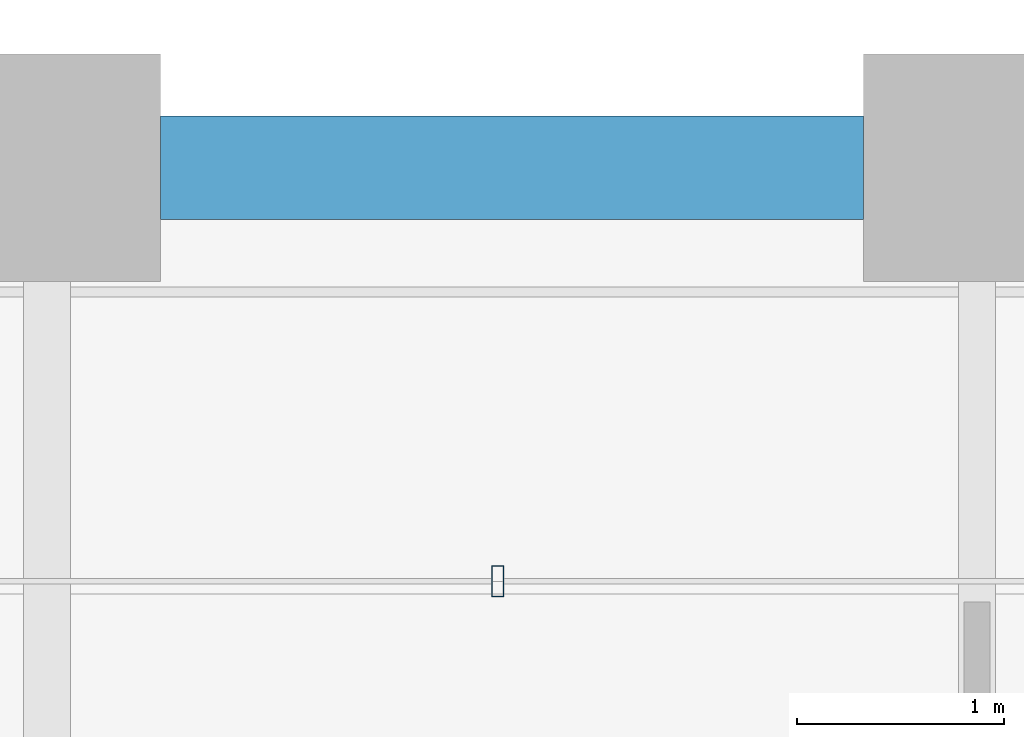
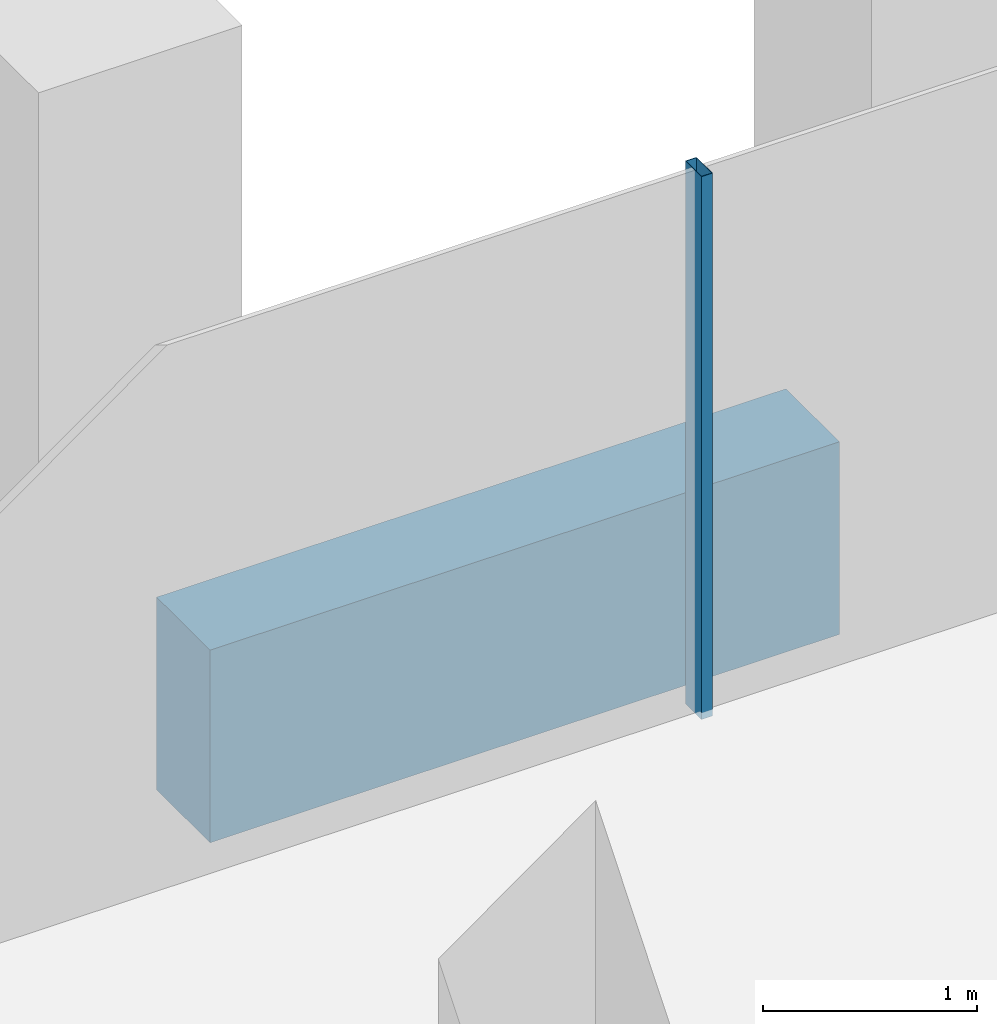
# One storey, part 42 of 54: 1 beam, 1 member, 1 element without a shape of its own.
"""IFC4 building model written with IfcOpenShell, lengths in metres."""

from ifc_helpers import new_model, si_unit, direction, frame, origin, origin_2d, place, context, subcontext, project, spatial, rectangle, hollow_rectangle, extrude, material, material_profile, profile_set, type_object, element, aggregate, save


model = new_model("IFC4")

# Units and contexts
model_context = context("Model", 3, precision=1e-05, world=origin(), true_north=direction((0.0, 1.0)))
body_context = subcontext(model_context, "Body", "Model", "MODEL_VIEW")
ifc_project = project(units=[si_unit("LENGTHUNIT", "METRE"), si_unit("AREAUNIT", "SQUARE_METRE"), si_unit("VOLUMEUNIT", "CUBIC_METRE"), si_unit("PLANEANGLEUNIT", "RADIAN"), si_unit("MASSUNIT", "GRAM", prefix="KILO")], contexts=[model_context])

# Site, building, storey
site_placement = place(None, origin())
site = spatial("IfcSite", under=ifc_project, at=site_placement, CompositionType="ELEMENT")
building_placement = place(site_placement, origin())
building = spatial("IfcBuilding", under=site, at=building_placement, Name="Altepetl Exchange Towers", CompositionType="ELEMENT")
storey_placement = place(building_placement, frame((0.0, 0.0, 65.39990234375)))
storey = spatial("IfcBuildingStorey", under=building, at=storey_placement, Name="L15", CompositionType="ELEMENT", Elevation=65.39990234375)

# Curtain wall, member
ifc_material_1 = material(Name="Aluminium 6063-T6 glazing", Category="aluminium")
curtain_wall_type = type_object("IfcCurtainWallType", Name="Loggia glazing system", PredefinedType="NOTDEFINED", material=ifc_material_1)
curtain_wall_placement = place(storey_placement, origin())
curtain_wall = element("IfcCurtainWall", 1, at=curtain_wall_placement, inside=storey, type_object=curtain_wall_type, Name="CW1 run", PredefinedType="NOTDEFINED")
ifc_material_2 = material(Name="Aluminium 6063-T6", Category="aluminium")
ifc_material_profile_1 = material_profile(ifc_material_2, hollow_rectangle(XDim=0.06005859375, YDim=0.14990234375, WallThickness=0.0029296875, at=origin_2d()), Name="Mullion 60x150 aluminium")
ifc_profile_set_1 = profile_set([ifc_material_profile_1], Name="Aluminium 6063-T6")
member_type = type_object("IfcMemberType", Name="Mullion 60x150 aluminium", PredefinedType="MULLION", material=ifc_profile_set_1)
member_placement = place(storey_placement, frame((105.68115234375, 56.5, 0.0), z_axis=(0.0, 0.0, 1.0), x_axis=(-1.0, 0.0, 0.0)))
member = element("IfcMember", 2, at=member_placement, type_object=member_type, Name="MU1 mullion", PredefinedType="MULLION", context=body_context, shape_type="SweptSolid", body=[
    extrude(hollow_rectangle(XDim=0.06005859375, YDim=0.14990234375, WallThickness=0.0029296875, at=origin_2d()), origin(), (0.0, 0.0, 1.0), 3.10009765625),
])
aggregate(curtain_wall, [member])

# Beam
ifc_material_3 = material(Name="Concrete C50/60 precast with cantera amarilla facing", Category="concrete")
ifc_material_profile_2 = material_profile(ifc_material_3, rectangle(XDim=0.5, YDim=1.10009765625, at=origin_2d()), Name="500 x 1100")
ifc_profile_set_2 = profile_set([ifc_material_profile_2], Name="Concrete C50/60 precast with cantera amarilla facing")
beam_type = type_object("IfcBeamType", Name="Spandrel beam 500x1100 cantera amarilla", PredefinedType="SPANDREL", material=ifc_profile_set_2)
beam_placement = place(storey_placement, frame((107.449951171875, 58.5, -0.699951171875), z_axis=(-1.0, 0.0, 0.0), x_axis=(0.0, -1.0, 0.0)))
element("IfcBeam", 3, at=beam_placement, inside=storey, type_object=beam_type, Name="sp:B:L15:021", PredefinedType="SPANDREL", context=body_context, shape_type="SweptSolid", body=[
    extrude(rectangle(XDim=0.5, YDim=1.10009765625, at=origin_2d()), origin(), (0.0, 0.0, 1.0), 3.39990234375),
])

save(model, "model.ifc")
